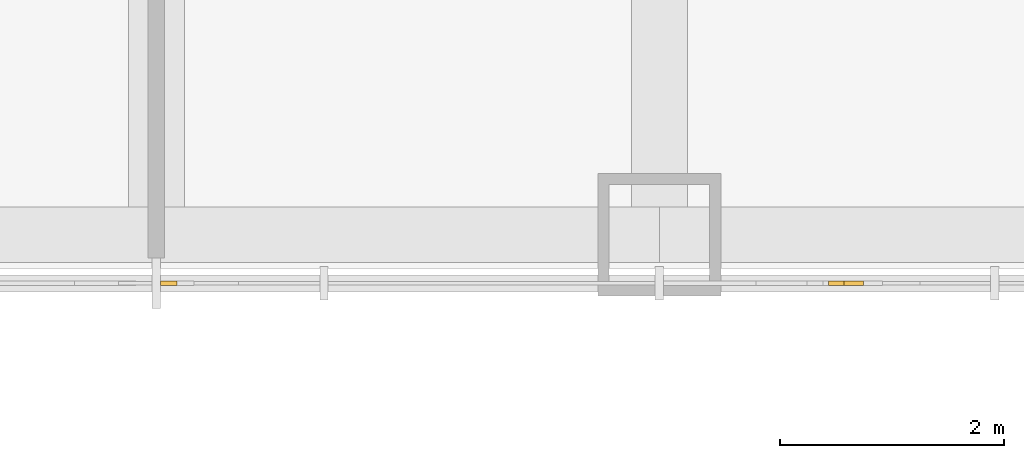
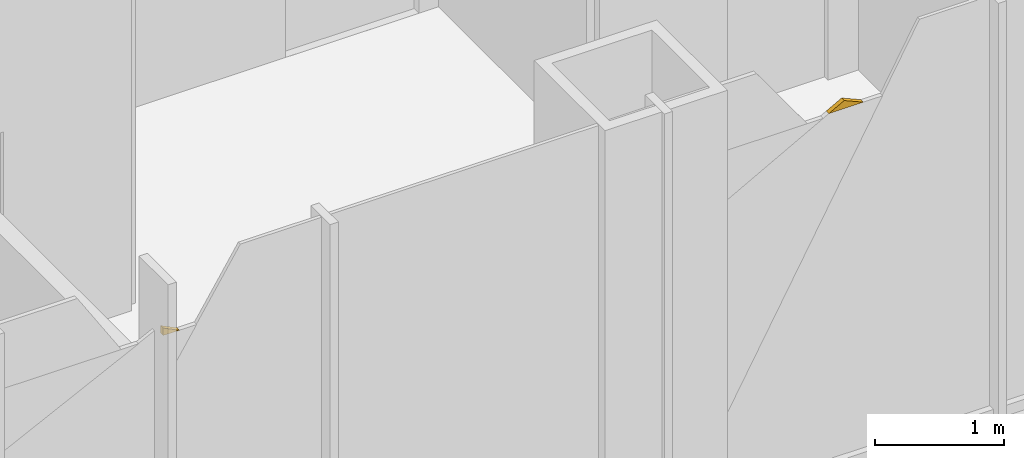
# One storey, part 17 of 23: 2 coverings.
"""IFC4 building model written with IfcOpenShell, lengths in metres."""

from ifc_helpers import new_model, si_unit, direction, frame, origin, place, context, subcontext, project, spatial, polyline, outline, extrude, material, layer, layer_set, type_object, element, save


model = new_model("IFC4")

# Units and contexts
model_context = context("Model", 3, precision=1e-05, world=origin(), true_north=direction((0.0, 1.0)))
body_context = subcontext(model_context, "Body", "Model", "MODEL_VIEW")
ifc_project = project(units=[si_unit("LENGTHUNIT", "METRE"), si_unit("AREAUNIT", "SQUARE_METRE"), si_unit("VOLUMEUNIT", "CUBIC_METRE"), si_unit("PLANEANGLEUNIT", "RADIAN"), si_unit("MASSUNIT", "GRAM", prefix="KILO")], contexts=[model_context])

# Site, building, storey
site_placement = place(None, origin())
site = spatial("IfcSite", under=ifc_project, at=site_placement, CompositionType="ELEMENT")
building_placement = place(site_placement, origin())
building = spatial("IfcBuilding", under=site, at=building_placement, Name="Malebo Sky Hospital", CompositionType="ELEMENT")
storey_placement = place(building_placement, frame((0.0, 0.0, 168.0)))
storey = spatial("IfcBuildingStorey", under=building, at=storey_placement, Name="L40", CompositionType="ELEMENT", Elevation=168.0)

# Coverings
ifc_material = material(Name="Anodised aluminium, natural silver insulated infill panel", Category="aluminium")
ifc_layer = layer(ifc_material, 0.0400390625)
ifc_layer_set = layer_set([ifc_layer], Name="BRACE INFILL PANEL 40")
covering_type = type_object("IfcCoveringType", Name="BRACE INFILL PANEL 40", PredefinedType="CLADDING", material=ifc_layer_set)
covering_1_placement = place(storey_placement, frame((66.170654296875, 37.864990234375, 3.38232421875), z_axis=(0.0, 0.0, 1.0), x_axis=(-1.0, 0.0, 0.0)))
element("IfcCovering", 1, at=covering_1_placement, inside=storey, type_object=covering_type, Name="Brace infill panel 6.4", PredefinedType="CLADDING", context=body_context, shape_type="SweptSolid", body=[
    extrude(outline(polyline([(-0.1552734375, 0.0), (0.1552734375, 0.0), (0.017333984375, 0.07568359375), (-0.1552734375, 0.0)])), frame((0.0, 0.02001953125, 0.0), z_axis=(0.0, -1.0, 0.0), x_axis=(1.0, 0.0, 0.0)), (0.0, 0.0, 1.0), 0.0400390625),
])
covering_2_placement = place(storey_placement, frame((60.110107421875, 37.864990234375, 3.36767578125), z_axis=(0.0, 0.0, 1.0), x_axis=(-1.0, 0.0, 0.0)))
element("IfcCovering", 2, at=covering_2_placement, inside=storey, type_object=covering_type, Name="Brace infill panel 8.2", PredefinedType="CLADDING", context=body_context, shape_type="SweptSolid", body=[
    extrude(outline(polyline([(-0.07275390625, 0.0), (0.072509765625, 0.0), (0.072509765625, 0.071533203125), (-0.07275390625, 0.0)])), frame((0.0, 0.02001953125, 0.0), z_axis=(0.0, -1.0, 0.0), x_axis=(1.0, 0.0, 0.0)), (0.0, 0.0, 1.0), 0.0400390625),
])

save(model, "model.ifc")
